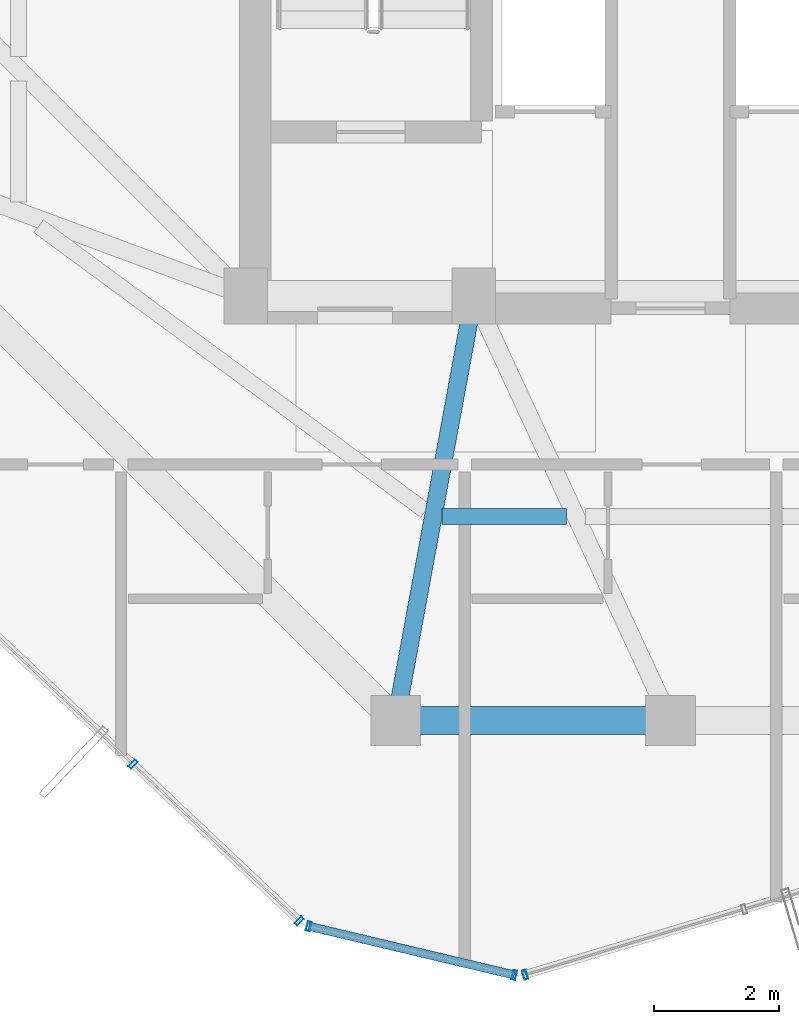
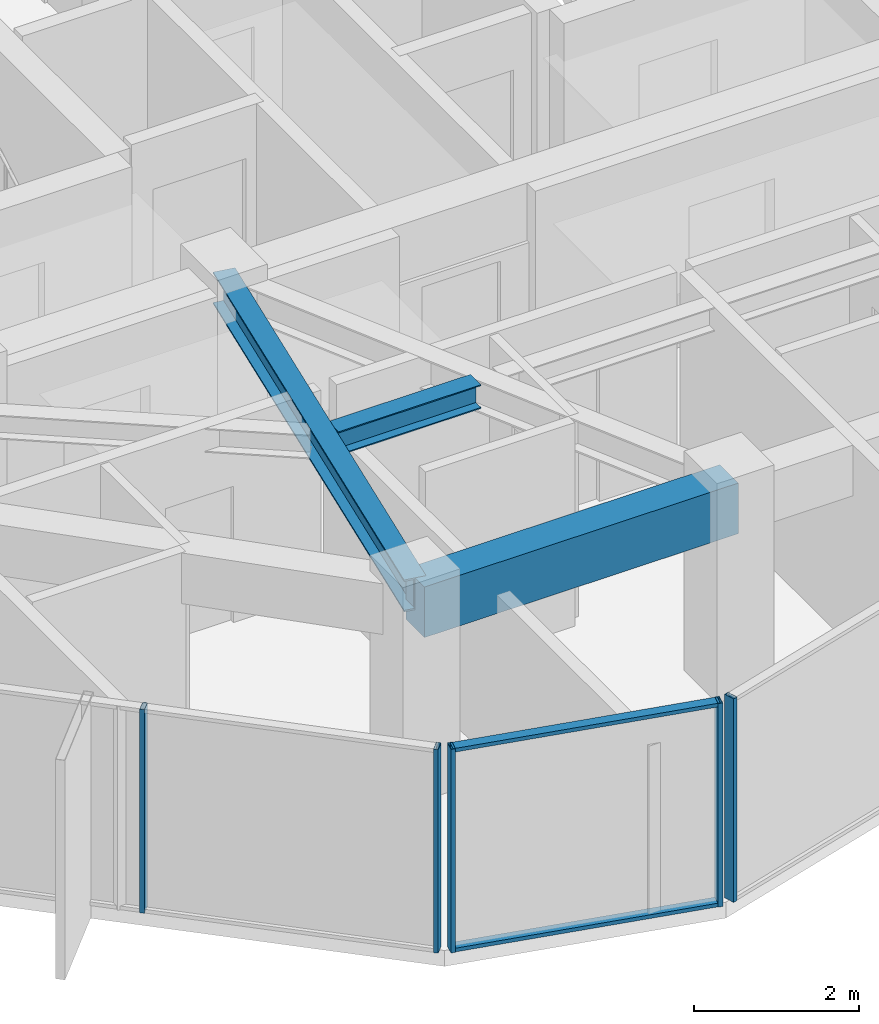
# One storey, part 4 of 28: 7 members, 3 beams, 3 elements without a shape of their own.
"""IFC4 building model written with IfcOpenShell, lengths in metres."""

from ifc_helpers import new_model, si_unit, direction, frame, origin, origin_2d, place, context, subcontext, project, spatial, rectangle, hollow_rectangle, i_section, extrude, source, transform, mapped, material, layer, layer_set, material_profile, profile_set, type_object, element, aggregate, save


model = new_model("IFC4")

# Units and contexts
model_context = context("Model", 3, precision=1e-05, world=origin(), true_north=direction((0.0, 1.0)))
body_context = subcontext(model_context, "Body", "Model", "MODEL_VIEW")
ifc_project = project(units=[si_unit("LENGTHUNIT", "METRE"), si_unit("AREAUNIT", "SQUARE_METRE"), si_unit("VOLUMEUNIT", "CUBIC_METRE"), si_unit("PLANEANGLEUNIT", "RADIAN"), si_unit("MASSUNIT", "GRAM", prefix="KILO")], contexts=[model_context])

# Site, building, storey
site_placement = place(None, origin())
site = spatial("IfcSite", under=ifc_project, at=site_placement, CompositionType="ELEMENT")
building_placement = place(site_placement, origin())
building = spatial("IfcBuilding", under=site, at=building_placement, Name="Veraguas Prism Commons", CompositionType="ELEMENT")
storey_placement = place(building_placement, frame((0.0, 0.0, 254.5)))
storey = spatial("IfcBuildingStorey", under=building, at=storey_placement, Name="L72", CompositionType="ELEMENT", Elevation=254.5)

# Beams
ifc_material_1 = material(Name="Concrete C50/60", Category="concrete")
ifc_material_profile_1 = material_profile(ifc_material_1, rectangle(XDim=0.449951171875, YDim=0.75, at=origin_2d()), Name="RC450X750")
ifc_profile_set_1 = profile_set([ifc_material_profile_1], Name="Concrete C50/60")
beam_type_1 = type_object("IfcBeamType", Name="Perimeter Spandrel Upper RC 450x750", PredefinedType="SPANDREL", material=ifc_profile_set_1)
beam_1_placement = place(storey_placement, frame((19.60009765625, 10.199951171875, 2.639892578125), z_axis=(1.0, 0.0, 0.0), x_axis=(0.0, 1.0, 0.0)))
element("IfcBeam", 1, at=beam_1_placement, inside=storey, type_object=beam_type_1, Name="Perimeter Spandrel Beam L72-SP10", PredefinedType="SPANDREL", context=body_context, shape_type="SweptSolid", body=[
    extrude(rectangle(XDim=0.449951171875, YDim=0.75, at=origin_2d()), origin(), (0.0, 0.0, 1.0), 4.39990234375),
])
ifc_material_2 = material(Name="Steel ASTM A992 Grade 50", Category="steel")
ifc_material_profile_2 = material_profile(ifc_material_2, i_section(OverallWidth=0.25390625, OverallDepth=0.35302734375, WebThickness=0.009521484375, FlangeThickness=0.016357421875, at=origin_2d()), Name="W360X91")
ifc_profile_set_2 = profile_set([ifc_material_profile_2], Name="Steel ASTM A992 Grade 50")
beam_type_2 = type_object("IfcBeamType", Name="Upper Floor Joist W360x91", PredefinedType="JOIST", material=ifc_profile_set_2)
beam_2_placement = place(storey_placement, frame((20.341796875, 13.464111328125, 2.83837890625), z_axis=(1.0, 0.0, 0.0), x_axis=(0.0, 1.0, 0.0)))
element("IfcBeam", 2, at=beam_2_placement, inside=storey, type_object=beam_type_2, Name="Composite Floor Joist L72-JS10", PredefinedType="JOIST", context=body_context, shape_type="SweptSolid", body=[
    extrude(i_section(OverallWidth=0.25390625, OverallDepth=0.35302734375, WebThickness=0.009521484375, FlangeThickness=0.016357421875, at=origin_2d()), origin(), (0.0, 0.0, 1.0), 1.992431640625),
])
ifc_material_profile_3 = material_profile(ifc_material_2, i_section(OverallWidth=0.282958984375, OverallDepth=0.471923828125, WebThickness=0.013671875, FlangeThickness=0.022216796875, at=origin_2d()), Name="W460X144")
ifc_profile_set_3 = profile_set([ifc_material_profile_3], Name="Steel ASTM A992 Grade 50")
beam_type_3 = type_object("IfcBeamType", Name="Zone 4 Radial Girder W460x144", PredefinedType="BEAM", material=ifc_profile_set_3)
beam_3_placement = place(storey_placement, frame((19.60009765625, 10.199951171875, 2.779052734375), z_axis=(0.180793033327, 0.983521163524, 0.0), x_axis=(-0.983521163524, 0.180793033327, 0.0)))
element("IfcBeam", 3, at=beam_3_placement, inside=storey, type_object=beam_type_3, Name="Radial Floor Girder L72-RD10", PredefinedType="BEAM", context=body_context, shape_type="SweptSolid", body=[
    extrude(i_section(OverallWidth=0.282958984375, OverallDepth=0.471923828125, WebThickness=0.013671875, FlangeThickness=0.022216796875, at=origin_2d()), origin(), (0.0, 0.0, 1.0), 6.9140625),
])

# Curtain wall, members
ifc_material_3 = material(Name="Anodised aluminium EN AW-6063 T6", Category="aluminium")
ifc_layer = layer(ifc_material_3, 0.14990234375, Name="Unitised Flush Curtain Wall Zone 4", Category="aluminium")
ifc_layer_set = layer_set([ifc_layer], Name="Anodised aluminium EN AW-6063 T6")
curtain_wall_type = type_object("IfcCurtainWallType", Name="Unitised Flush Curtain Wall Zone 4", PredefinedType="NOTDEFINED", material=ifc_layer_set)
curtain_wall_1_placement = place(storey_placement, origin())
curtain_wall_1 = element("IfcCurtainWall", 4, at=curtain_wall_1_placement, inside=storey, type_object=curtain_wall_type, Name="Tower Facade Curtain Wall L72-F4", PredefinedType="NOTDEFINED")
ifc_material_profile_4 = material_profile(ifc_material_3, hollow_rectangle(XDim=0.06005859375, YDim=0.14990234375, WallThickness=0.0029296875, at=origin_2d()), Name="AL60X150X3")
ifc_profile_set_4 = profile_set([ifc_material_profile_4], Name="Anodised aluminium EN AW-6063 T6")
member_type_1 = type_object("IfcMemberType", Name="Curtain Wall Mullion Upper AL 60x150x3", PredefinedType="MULLION", material=ifc_profile_set_4)
shared_shape_1 = source(origin(), body_context, "Body", "SweptSolid", [
    extrude(hollow_rectangle(XDim=0.06005859375, YDim=0.14990234375, WallThickness=0.0029296875, at=origin_2d()), origin(), (0.0, 0.0, 1.0), 3.014892578125),
])
member_1_placement = place(storey_placement, frame((15.391845703125, 9.4990234375, 0.0), z_axis=(0.0, 0.0, 1.0), x_axis=(0.727296184535, -0.686323728251, 0.0)))
member_1 = element("IfcMember", 5, at=member_1_placement, type_object=member_type_1, Name="CW-Z4 Mullion 4", PredefinedType="MULLION", context=body_context, shape_type="MappedRepresentation", body=[
    mapped(shared_shape_1, transform((0.0, 0.0, 0.0), scale=1.0)),
])
member_2_placement = place(storey_placement, frame((18.0546875, 6.986083984375, 0.0), z_axis=(0.0, 0.0, 1.0), x_axis=(0.727296184535, -0.686323728251, 0.0)))
member_2 = element("IfcMember", 6, at=member_2_placement, type_object=member_type_1, Name="CW-Z4 Mullion 5", PredefinedType="MULLION", context=body_context, shape_type="MappedRepresentation", body=[
    mapped(shared_shape_1, transform((0.0, 0.0, 0.0), scale=1.0)),
])
aggregate(curtain_wall_1, [member_1, member_2])

# Curtain wall, member
curtain_wall_2_placement = place(storey_placement, origin())
curtain_wall_2 = element("IfcCurtainWall", 7, at=curtain_wall_2_placement, inside=storey, type_object=curtain_wall_type, Name="Tower Facade Curtain Wall L72-F5", PredefinedType="NOTDEFINED")
member_3_placement = place(storey_placement, frame((21.6728515625, 6.128173828125, 0.0), z_axis=(0.0, 0.0, 1.0), x_axis=(0.958022876902, 0.286691763629, 0.0)))
member_3 = element("IfcMember", 8, at=member_3_placement, type_object=member_type_1, Name="CW-Z4 Mullion 1", PredefinedType="MULLION", context=body_context, shape_type="MappedRepresentation", body=[
    mapped(shared_shape_1, transform((0.0, 0.0, 0.0), scale=1.0)),
])
aggregate(curtain_wall_2, [member_3])

# Curtain wall, members
curtain_wall_3_placement = place(storey_placement, origin())
curtain_wall_3 = element("IfcCurtainWall", 9, at=curtain_wall_3_placement, inside=storey, type_object=curtain_wall_type, Name="Chamfer Curtain Wall L72-C5", PredefinedType="NOTDEFINED")
member_4_placement = place(storey_placement, frame((18.207763671875, 6.903564453125, 0.0), z_axis=(0.0, 0.0, 1.0), x_axis=(0.973010378817, -0.230761354466, 0.0)))
member_4 = element("IfcMember", 10, at=member_4_placement, type_object=member_type_1, Name="CW-Z4 Mullion 1", PredefinedType="MULLION", context=body_context, shape_type="MappedRepresentation", body=[
    mapped(shared_shape_1, transform((0.0, 0.0, 0.0), scale=1.0)),
])
member_5_placement = place(storey_placement, frame((21.4990234375, 6.123046875, 0.0), z_axis=(0.0, 0.0, 1.0), x_axis=(0.973010378817, -0.230761354466, 0.0)))
member_5 = element("IfcMember", 11, at=member_5_placement, type_object=member_type_1, Name="CW-Z4 Mullion 2", PredefinedType="MULLION", context=body_context, shape_type="MappedRepresentation", body=[
    mapped(shared_shape_1, transform((0.0, 0.0, 0.0), scale=1.0)),
])
ifc_material_profile_5 = material_profile(ifc_material_3, hollow_rectangle(XDim=0.054931640625, YDim=0.135009765625, WallThickness=0.0029296875, at=origin_2d()), Name="AL55X135X3")
ifc_profile_set_5 = profile_set([ifc_material_profile_5], Name="Anodised aluminium EN AW-6063 T6")
member_type_2 = type_object("IfcMemberType", Name="Curtain Wall Transom Standard AL 55x135x3", PredefinedType="USERDEFINED", material=ifc_profile_set_5)
shared_shape_2 = source(origin(), body_context, "Body", "SweptSolid", [
    extrude(hollow_rectangle(XDim=0.054931640625, YDim=0.135009765625, WallThickness=0.0029296875, at=origin_2d()), origin(), (0.0, 0.0, 1.0), 3.382568359375),
])
member_6_placement = place(storey_placement, frame((18.207763671875, 6.903564453125, 0.027587890625), z_axis=(0.973013370718, -0.230748738683, 0.0), x_axis=(0.0, 0.0, 1.0)))
member_6 = element("IfcMember", 12, at=member_6_placement, type_object=member_type_2, Name="CW-Z4 Transom 1", ObjectType="TRANSOM", PredefinedType="USERDEFINED", context=body_context, shape_type="MappedRepresentation", body=[
    mapped(shared_shape_2, transform((0.0, 0.0, 0.0), scale=1.0)),
])
member_7_placement = place(storey_placement, frame((18.207763671875, 6.903564453125, 2.987548828125), z_axis=(0.973013370718, -0.230748738683, 0.0), x_axis=(0.0, 0.0, 1.0)))
member_7 = element("IfcMember", 13, at=member_7_placement, type_object=member_type_2, Name="CW-Z4 Transom 2", ObjectType="TRANSOM", PredefinedType="USERDEFINED", context=body_context, shape_type="MappedRepresentation", body=[
    mapped(shared_shape_2, transform((0.0, 0.0, 0.0), scale=1.0)),
])
aggregate(curtain_wall_3, [member_4, member_5, member_6, member_7])

save(model, "model.ifc")
